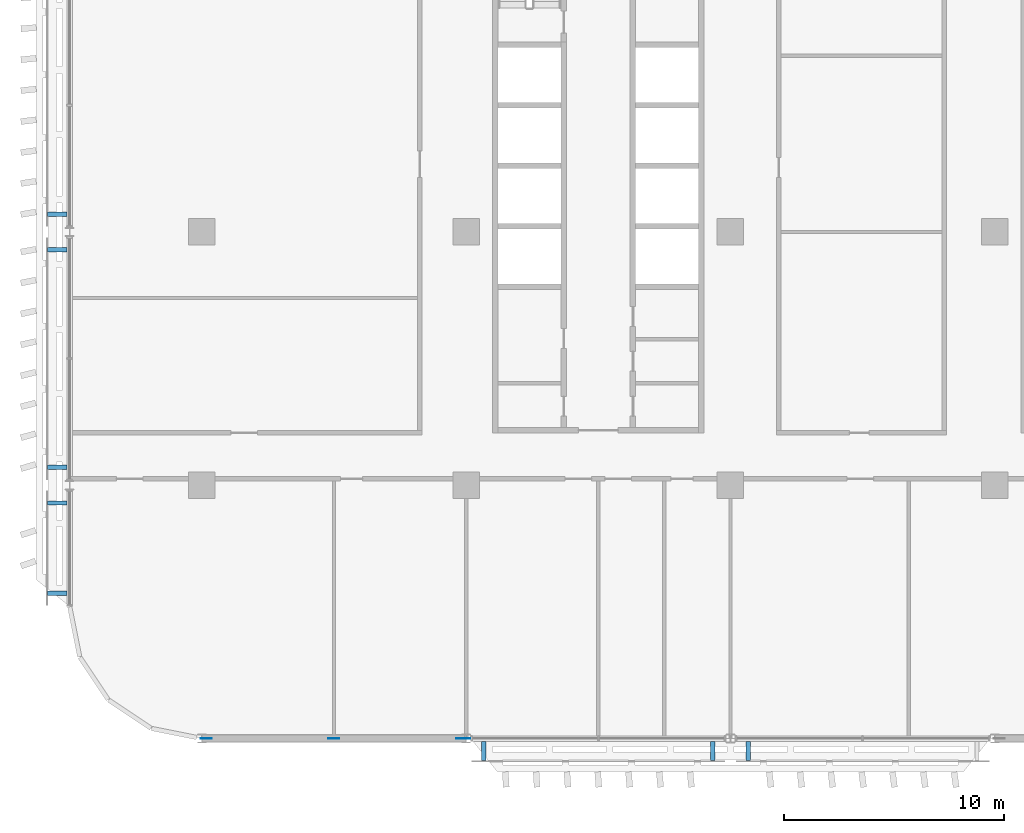
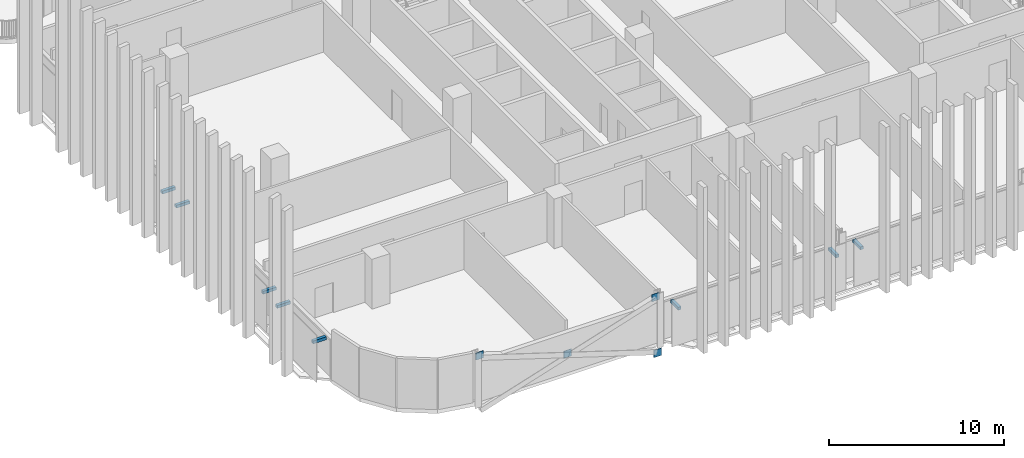
# One storey, part 17 of 30: 12 discrete accessories.
"""IFC4 building model written with IfcOpenShell, lengths in metres."""

from ifc_helpers import new_model, si_unit, direction, frame, origin, origin_2d, place, context, subcontext, project, spatial, rectangle, extrude, material, layer, layer_set, type_object, element, save


model = new_model("IFC4")

# Units and contexts
model_context = context("Model", 3, precision=1e-05, world=origin(), true_north=direction((0.0, 1.0)))
body_context = subcontext(model_context, "Body", "Model", "MODEL_VIEW")
ifc_project = project(units=[si_unit("LENGTHUNIT", "METRE"), si_unit("AREAUNIT", "SQUARE_METRE"), si_unit("VOLUMEUNIT", "CUBIC_METRE"), si_unit("PLANEANGLEUNIT", "RADIAN"), si_unit("MASSUNIT", "GRAM", prefix="KILO")], contexts=[model_context])

# Site, building, storey
site_placement = place(None, origin())
site = spatial("IfcSite", under=ifc_project, at=site_placement, CompositionType="ELEMENT")
building_placement = place(site_placement, origin())
building = spatial("IfcBuilding", under=site, at=building_placement, Name="Mahtab Terrace Research Tower", CompositionType="ELEMENT")
storey_placement = place(building_placement, frame((0.0, 0.0, 159.199951171875)))
storey = spatial("IfcBuildingStorey", under=building, at=storey_placement, Name="L37", CompositionType="ELEMENT", Elevation=159.199951171875)

# Discrete accessories
ifc_material_1 = material(Name="Black anodised aluminium", Category="aluminium")
discrete_accessory_type_1 = type_object("IfcDiscreteAccessoryType", Name="Facade bracket", PredefinedType="BRACKET", material=ifc_material_1)
for number, where, z_axis, x_axis, name in (
    (1, (-48.5625, 0.80810546875, 2.48193359375), (0.0, 0.0, 1.0), (0.0, -1.0, 0.0), "Screen bracket Girih screen L37 W17"),
    (2, (-48.5625, -0.80810546875, 2.48193359375), (0.0, 0.0, 1.0), (0.0, -1.0, 0.0), "Screen bracket Girih screen L37 W18"),
    (3, (-48.5625, -10.69189453125, 2.48193359375), (0.0, 0.0, 1.0), (0.0, -1.0, 0.0), "Screen bracket Girih screen L37 W18"),
    (4, (-48.5625, -12.30810546875, 2.48193359375), (0.0, 0.0, 1.0), (0.0, -1.0, 0.0), "Screen bracket Girih screen L37 W19"),
    (5, (-48.5625, -16.39990234375, 2.48193359375), (0.0, 0.0, 1.0), (0.0, -1.0, 0.0), "Screen bracket Girih screen L37 W19"),
    (6, (-29.19189453125, -23.5625, 2.48193359375), (0.0, 0.0, 1.0), (1.0, 0.0, 0.0), "Screen bracket Girih screen L37 S25"),
    (7, (-18.80810546875, -23.5625, 2.48193359375), (0.0, 0.0, 1.0), (1.0, 0.0, 0.0), "Screen bracket Girih screen L37 S25"),
    (8, (-17.19189453125, -23.5625, 2.48193359375), (0.0, 0.0, 1.0), (1.0, 0.0, 0.0), "Screen bracket Girih screen L37 S26"),
):
    element("IfcDiscreteAccessory", number, at=place(storey_placement, frame(where, z_axis=z_axis, x_axis=x_axis)), inside=storey, type_object=discrete_accessory_type_1, Name=name, PredefinedType="BRACKET", context=body_context, shape_type="SweptSolid", body=[
        extrude(rectangle(XDim=0.199951171875, YDim=0.875, at=origin_2d()), origin(), (0.0, 0.0, 1.0), 0.199951171875),
    ])
ifc_material_2 = material(Name="Steel ASTM A992 Gr 50", Category="steel")
ifc_layer = layer(ifc_material_2, 0.030029296875)
ifc_layer_set = layer_set([ifc_layer], Name="Gusset plate 500x500x30")
discrete_accessory_type_2 = type_object("IfcDiscreteAccessoryType", Name="Gusset plate 500x500x30", PredefinedType="USERDEFINED", material=ifc_layer_set)
for number, where, z_axis, x_axis, name in (
    (9, (-41.796875, -23.0, 2.870849609375), (0.0, 0.0, 1.0), (1.0, 0.0, 0.0), "Gusset plate"),
    (10, (-36.0, -23.0, 0.970947265625), (0.0, 0.0, 1.0), (1.0, 0.0, 0.0), "Gusset plate"),
    (11, (-30.067626953125, -23.0, -1.053955078125), (0.0, 0.0, 1.0), (1.0, 0.0, 0.0), "Gusset plate"),
    (12, (-30.203125, -23.0, 2.870849609375), (0.0, 0.0, 1.0), (1.0, 0.0, 0.0), "Gusset plate"),
):
    element("IfcDiscreteAccessory", number, at=place(storey_placement, frame(where, z_axis=z_axis, x_axis=x_axis)), inside=storey, type_object=discrete_accessory_type_2, Name=name, ObjectType="GUSSET PLATE", PredefinedType="USERDEFINED", context=body_context, shape_type="SweptSolid", body=[
        extrude(rectangle(XDim=0.5, YDim=0.030029296875, at=origin_2d()), origin(), (0.0, 0.0, 1.0), 0.5),
    ])

save(model, "model.ifc")
